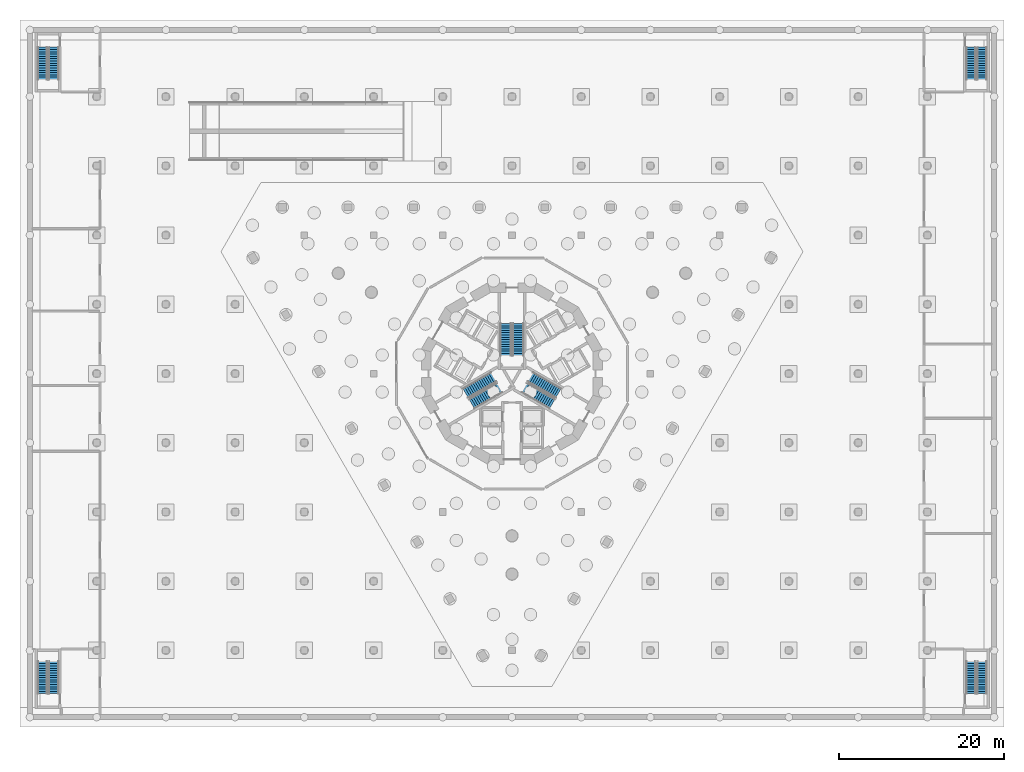
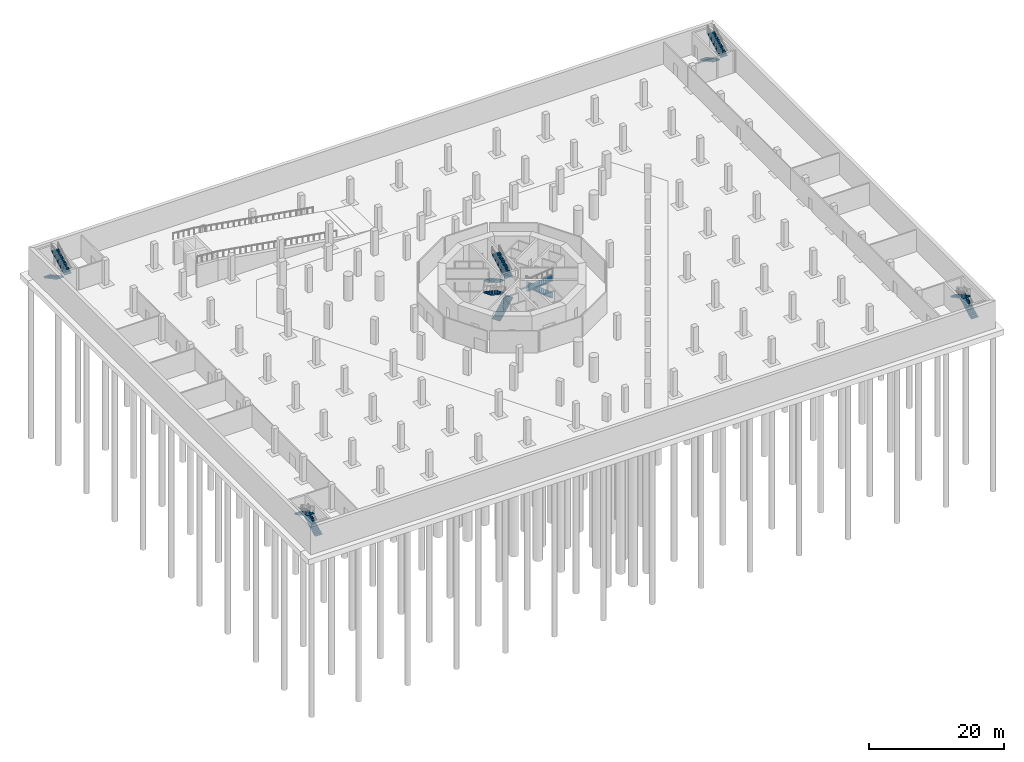
# One storey, part 15 of 23: 14 stair flights, 7 elements without a shape of their own.
"""IFC4 building model written with IfcOpenShell, lengths in metres."""

from ifc_helpers import new_model, si_unit, direction, frame, origin, place, context, subcontext, project, spatial, polyline, outline, extrude, material, type_object, element, aggregate, save


model = new_model("IFC4")

# Units and contexts
model_context = context("Model", 3, precision=1e-05, world=origin(), true_north=direction((0.0, 1.0)))
body_context = subcontext(model_context, "Body", "Model", "MODEL_VIEW")
ifc_project = project(units=[si_unit("LENGTHUNIT", "METRE"), si_unit("AREAUNIT", "SQUARE_METRE"), si_unit("VOLUMEUNIT", "CUBIC_METRE"), si_unit("PLANEANGLEUNIT", "RADIAN"), si_unit("MASSUNIT", "GRAM", prefix="KILO")], contexts=[model_context])

# Site, building, storey
site_placement = place(None, origin())
site = spatial("IfcSite", under=ifc_project, at=site_placement, CompositionType="ELEMENT")
building_placement = place(site_placement, origin())
building = spatial("IfcBuilding", under=site, at=building_placement, Name="Trine Commons Tower", CompositionType="ELEMENT")
storey_placement = place(building_placement, frame((0.0, 0.0, -9.0)))
storey = spatial("IfcBuildingStorey", under=building, at=storey_placement, Name="B2", CompositionType="ELEMENT", Elevation=-9.0)

# Stair, stair flights
ifc_material_1 = material(Name="Concrete C40/50", Category="concrete")
stair_type_1 = type_object("IfcStairType", Name="Exit stair, dog-leg 1200 mm, C40/50", PredefinedType="HALF_TURN_STAIR", material=ifc_material_1)
stair_1_placement = place(storey_placement, origin())
stair_1 = element("IfcStair", 1, at=stair_1_placement, inside=storey, type_object=stair_type_1, Name="B2 Exit stair STB1", PredefinedType="HALF_TURN_STAIR")
stair_flight_type_1 = type_object("IfcStairFlightType", Name="RC stair flight 1200 mm, C40/50", PredefinedType="STRAIGHT", material=ifc_material_1)
stair_flight_1_placement = place(storey_placement, frame((24.39990234375, 23.64990234375, 0.0), z_axis=(0.0, 0.0, 1.0), x_axis=(0.0, 1.0, 0.0)))
stair_flight_1 = element("IfcStairFlight", 2, at=stair_flight_1_placement, type_object=stair_flight_type_1, Name="STB1 flight 1", NumberOfRisers=15, NumberOfTreads=14, PredefinedType="STRAIGHT", RiserHeight=0.15, TreadLength=0.28, context=body_context, shape_type="SweptSolid", body=[
    extrude(outline(polyline([(0.0, 0.0), (0.0, 0.14990234375), (0.280029296875, 0.14990234375), (0.280029296875, 0.300048828125), (0.56005859375, 0.300048828125), (0.56005859375, 0.449951171875), (0.840087890625, 0.449951171875), (0.840087890625, 0.60009765625), (1.1201171875, 0.60009765625), (1.1201171875, 0.75), (1.39990234375, 0.75), (1.39990234375, 0.89990234375), (1.679931640625, 0.89990234375), (1.679931640625, 1.050048828125), (1.9599609375, 1.050048828125), (1.9599609375, 1.199951171875), (2.239990234375, 1.199951171875), (2.239990234375, 1.35009765625), (2.52001953125, 1.35009765625), (2.52001953125, 1.5), (2.800048828125, 1.5), (2.800048828125, 1.64990234375), (3.080078125, 1.64990234375), (3.080078125, 1.800048828125), (3.360107421875, 1.800048828125), (3.360107421875, 1.949951171875), (3.639892578125, 1.949951171875), (3.639892578125, 2.10009765625), (3.919921875, 2.10009765625), (3.919921875, 2.25), (3.919921875, 1.929931640625), (0.3173828125, 0.0), (0.0, 0.0)])), frame((0.0, 0.60009765625, 0.0), z_axis=(0.0, -1.0, 0.0), x_axis=(1.0, 0.0, 0.0)), (0.0, 0.0, 1.0), 1.199951171875),
])
stair_flight_2_placement = place(storey_placement, frame((23.050048828125, 27.570068359375, 2.25), z_axis=(0.0, 0.0, 1.0), x_axis=(0.0, -1.0, 0.0)))
stair_flight_2 = element("IfcStairFlight", 3, at=stair_flight_2_placement, type_object=stair_flight_type_1, Name="STB1 flight 2", NumberOfRisers=15, NumberOfTreads=14, PredefinedType="STRAIGHT", RiserHeight=0.15, TreadLength=0.28, context=body_context, shape_type="SweptSolid", body=[
    extrude(outline(polyline([(0.0, 0.0), (0.0, 0.14990234375), (0.280029296875, 0.14990234375), (0.280029296875, 0.300048828125), (0.56005859375, 0.300048828125), (0.56005859375, 0.449951171875), (0.840087890625, 0.449951171875), (0.840087890625, 0.60009765625), (1.1201171875, 0.60009765625), (1.1201171875, 0.75), (1.39990234375, 0.75), (1.39990234375, 0.89990234375), (1.679931640625, 0.89990234375), (1.679931640625, 1.050048828125), (1.9599609375, 1.050048828125), (1.9599609375, 1.199951171875), (2.239990234375, 1.199951171875), (2.239990234375, 1.35009765625), (2.52001953125, 1.35009765625), (2.52001953125, 1.5), (2.800048828125, 1.5), (2.800048828125, 1.64990234375), (3.080078125, 1.64990234375), (3.080078125, 1.800048828125), (3.360107421875, 1.800048828125), (3.360107421875, 1.949951171875), (3.639892578125, 1.949951171875), (3.639892578125, 2.10009765625), (3.919921875, 2.10009765625), (3.919921875, 2.25), (3.919921875, 1.929931640625), (0.3173828125, 0.0), (0.0, 0.0)])), frame((0.0, 0.60009765625, 0.0), z_axis=(0.0, -1.0, 0.0), x_axis=(1.0, 0.0, 0.0)), (0.0, 0.0, 1.0), 1.199951171875),
])
aggregate(stair_1, [stair_flight_1, stair_flight_2])

stair_2_placement = place(storey_placement, origin())
stair_2 = element("IfcStair", 4, at=stair_2_placement, inside=storey, type_object=stair_type_1, Name="B2 Exit stair STB2", PredefinedType="HALF_TURN_STAIR")
stair_flight_3_placement = place(storey_placement, frame((137.050048828125, 23.64990234375, 0.0), z_axis=(0.0, 0.0, 1.0), x_axis=(0.0, 1.0, 0.0)))
stair_flight_3 = element("IfcStairFlight", 5, at=stair_flight_3_placement, type_object=stair_flight_type_1, Name="STB2 flight 1", NumberOfRisers=15, NumberOfTreads=14, PredefinedType="STRAIGHT", RiserHeight=0.15, TreadLength=0.28, context=body_context, shape_type="SweptSolid", body=[
    extrude(outline(polyline([(0.0, 0.0), (0.0, 0.14990234375), (0.280029296875, 0.14990234375), (0.280029296875, 0.300048828125), (0.56005859375, 0.300048828125), (0.56005859375, 0.449951171875), (0.840087890625, 0.449951171875), (0.840087890625, 0.60009765625), (1.1201171875, 0.60009765625), (1.1201171875, 0.75), (1.39990234375, 0.75), (1.39990234375, 0.89990234375), (1.679931640625, 0.89990234375), (1.679931640625, 1.050048828125), (1.9599609375, 1.050048828125), (1.9599609375, 1.199951171875), (2.239990234375, 1.199951171875), (2.239990234375, 1.35009765625), (2.52001953125, 1.35009765625), (2.52001953125, 1.5), (2.800048828125, 1.5), (2.800048828125, 1.64990234375), (3.080078125, 1.64990234375), (3.080078125, 1.800048828125), (3.360107421875, 1.800048828125), (3.360107421875, 1.949951171875), (3.639892578125, 1.949951171875), (3.639892578125, 2.10009765625), (3.919921875, 2.10009765625), (3.919921875, 2.25), (3.919921875, 1.929931640625), (0.3173828125, 0.0), (0.0, 0.0)])), frame((0.0, 0.60009765625, 0.0), z_axis=(0.0, -1.0, 0.0), x_axis=(1.0, 0.0, 0.0)), (0.0, 0.0, 1.0), 1.199951171875),
])
stair_flight_4_placement = place(storey_placement, frame((135.699951171875, 27.570068359375, 2.25), z_axis=(0.0, 0.0, 1.0), x_axis=(0.0, -1.0, 0.0)))
stair_flight_4 = element("IfcStairFlight", 6, at=stair_flight_4_placement, type_object=stair_flight_type_1, Name="STB2 flight 2", NumberOfRisers=15, NumberOfTreads=14, PredefinedType="STRAIGHT", RiserHeight=0.15, TreadLength=0.28, context=body_context, shape_type="SweptSolid", body=[
    extrude(outline(polyline([(0.0, 0.0), (0.0, 0.14990234375), (0.280029296875, 0.14990234375), (0.280029296875, 0.300048828125), (0.56005859375, 0.300048828125), (0.56005859375, 0.449951171875), (0.840087890625, 0.449951171875), (0.840087890625, 0.60009765625), (1.1201171875, 0.60009765625), (1.1201171875, 0.75), (1.39990234375, 0.75), (1.39990234375, 0.89990234375), (1.679931640625, 0.89990234375), (1.679931640625, 1.050048828125), (1.9599609375, 1.050048828125), (1.9599609375, 1.199951171875), (2.239990234375, 1.199951171875), (2.239990234375, 1.35009765625), (2.52001953125, 1.35009765625), (2.52001953125, 1.5), (2.800048828125, 1.5), (2.800048828125, 1.64990234375), (3.080078125, 1.64990234375), (3.080078125, 1.800048828125), (3.360107421875, 1.800048828125), (3.360107421875, 1.949951171875), (3.639892578125, 1.949951171875), (3.639892578125, 2.10009765625), (3.919921875, 2.10009765625), (3.919921875, 2.25), (3.919921875, 1.929931640625), (0.3173828125, 0.0), (0.0, 0.0)])), frame((0.0, 0.60009765625, 0.0), z_axis=(0.0, -1.0, 0.0), x_axis=(1.0, 0.0, 0.0)), (0.0, 0.0, 1.0), 1.199951171875),
])
aggregate(stair_2, [stair_flight_3, stair_flight_4])

stair_3_placement = place(storey_placement, origin())
stair_3 = element("IfcStair", 7, at=stair_3_placement, inside=storey, type_object=stair_type_1, Name="B2 Exit stair STB3", PredefinedType="HALF_TURN_STAIR")
stair_flight_5_placement = place(storey_placement, frame((23.050048828125, 102.10009765625, 0.0), z_axis=(0.0, 0.0, 1.0), x_axis=(0.0, -1.0, 0.0)))
stair_flight_5 = element("IfcStairFlight", 8, at=stair_flight_5_placement, type_object=stair_flight_type_1, Name="STB3 flight 1", NumberOfRisers=15, NumberOfTreads=14, PredefinedType="STRAIGHT", RiserHeight=0.15, TreadLength=0.28, context=body_context, shape_type="SweptSolid", body=[
    extrude(outline(polyline([(0.0, 0.0), (0.0, 0.14990234375), (0.280029296875, 0.14990234375), (0.280029296875, 0.300048828125), (0.56005859375, 0.300048828125), (0.56005859375, 0.449951171875), (0.840087890625, 0.449951171875), (0.840087890625, 0.60009765625), (1.1201171875, 0.60009765625), (1.1201171875, 0.75), (1.39990234375, 0.75), (1.39990234375, 0.89990234375), (1.679931640625, 0.89990234375), (1.679931640625, 1.050048828125), (1.9599609375, 1.050048828125), (1.9599609375, 1.199951171875), (2.239990234375, 1.199951171875), (2.239990234375, 1.35009765625), (2.52001953125, 1.35009765625), (2.52001953125, 1.5), (2.800048828125, 1.5), (2.800048828125, 1.64990234375), (3.080078125, 1.64990234375), (3.080078125, 1.800048828125), (3.360107421875, 1.800048828125), (3.360107421875, 1.949951171875), (3.639892578125, 1.949951171875), (3.639892578125, 2.10009765625), (3.919921875, 2.10009765625), (3.919921875, 2.25), (3.919921875, 1.929931640625), (0.3173828125, 0.0), (0.0, 0.0)])), frame((0.0, 0.60009765625, 0.0), z_axis=(0.0, -1.0, 0.0), x_axis=(1.0, 0.0, 0.0)), (0.0, 0.0, 1.0), 1.199951171875),
])
stair_flight_6_placement = place(storey_placement, frame((24.39990234375, 98.179931640625, 2.25), z_axis=(0.0, 0.0, 1.0), x_axis=(0.0, 1.0, 0.0)))
stair_flight_6 = element("IfcStairFlight", 9, at=stair_flight_6_placement, type_object=stair_flight_type_1, Name="STB3 flight 2", NumberOfRisers=15, NumberOfTreads=14, PredefinedType="STRAIGHT", RiserHeight=0.15, TreadLength=0.28, context=body_context, shape_type="SweptSolid", body=[
    extrude(outline(polyline([(0.0, 0.0), (0.0, 0.14990234375), (0.280029296875, 0.14990234375), (0.280029296875, 0.300048828125), (0.56005859375, 0.300048828125), (0.56005859375, 0.449951171875), (0.840087890625, 0.449951171875), (0.840087890625, 0.60009765625), (1.1201171875, 0.60009765625), (1.1201171875, 0.75), (1.39990234375, 0.75), (1.39990234375, 0.89990234375), (1.679931640625, 0.89990234375), (1.679931640625, 1.050048828125), (1.9599609375, 1.050048828125), (1.9599609375, 1.199951171875), (2.239990234375, 1.199951171875), (2.239990234375, 1.35009765625), (2.52001953125, 1.35009765625), (2.52001953125, 1.5), (2.800048828125, 1.5), (2.800048828125, 1.64990234375), (3.080078125, 1.64990234375), (3.080078125, 1.800048828125), (3.360107421875, 1.800048828125), (3.360107421875, 1.949951171875), (3.639892578125, 1.949951171875), (3.639892578125, 2.10009765625), (3.919921875, 2.10009765625), (3.919921875, 2.25), (3.919921875, 1.929931640625), (0.3173828125, 0.0), (0.0, 0.0)])), frame((0.0, 0.60009765625, 0.0), z_axis=(0.0, -1.0, 0.0), x_axis=(1.0, 0.0, 0.0)), (0.0, 0.0, 1.0), 1.199951171875),
])
aggregate(stair_3, [stair_flight_5, stair_flight_6])

stair_4_placement = place(storey_placement, origin())
stair_4 = element("IfcStair", 10, at=stair_4_placement, inside=storey, type_object=stair_type_1, Name="B2 Exit stair STB4", PredefinedType="HALF_TURN_STAIR")
stair_flight_7_placement = place(storey_placement, frame((135.699951171875, 102.10009765625, 0.0), z_axis=(0.0, 0.0, 1.0), x_axis=(0.0, -1.0, 0.0)))
stair_flight_7 = element("IfcStairFlight", 11, at=stair_flight_7_placement, type_object=stair_flight_type_1, Name="STB4 flight 1", NumberOfRisers=15, NumberOfTreads=14, PredefinedType="STRAIGHT", RiserHeight=0.15, TreadLength=0.28, context=body_context, shape_type="SweptSolid", body=[
    extrude(outline(polyline([(0.0, 0.0), (0.0, 0.14990234375), (0.280029296875, 0.14990234375), (0.280029296875, 0.300048828125), (0.56005859375, 0.300048828125), (0.56005859375, 0.449951171875), (0.840087890625, 0.449951171875), (0.840087890625, 0.60009765625), (1.1201171875, 0.60009765625), (1.1201171875, 0.75), (1.39990234375, 0.75), (1.39990234375, 0.89990234375), (1.679931640625, 0.89990234375), (1.679931640625, 1.050048828125), (1.9599609375, 1.050048828125), (1.9599609375, 1.199951171875), (2.239990234375, 1.199951171875), (2.239990234375, 1.35009765625), (2.52001953125, 1.35009765625), (2.52001953125, 1.5), (2.800048828125, 1.5), (2.800048828125, 1.64990234375), (3.080078125, 1.64990234375), (3.080078125, 1.800048828125), (3.360107421875, 1.800048828125), (3.360107421875, 1.949951171875), (3.639892578125, 1.949951171875), (3.639892578125, 2.10009765625), (3.919921875, 2.10009765625), (3.919921875, 2.25), (3.919921875, 1.929931640625), (0.3173828125, 0.0), (0.0, 0.0)])), frame((0.0, 0.60009765625, 0.0), z_axis=(0.0, -1.0, 0.0), x_axis=(1.0, 0.0, 0.0)), (0.0, 0.0, 1.0), 1.199951171875),
])
stair_flight_8_placement = place(storey_placement, frame((137.050048828125, 98.179931640625, 2.25), z_axis=(0.0, 0.0, 1.0), x_axis=(0.0, 1.0, 0.0)))
stair_flight_8 = element("IfcStairFlight", 12, at=stair_flight_8_placement, type_object=stair_flight_type_1, Name="STB4 flight 2", NumberOfRisers=15, NumberOfTreads=14, PredefinedType="STRAIGHT", RiserHeight=0.15, TreadLength=0.28, context=body_context, shape_type="SweptSolid", body=[
    extrude(outline(polyline([(0.0, 0.0), (0.0, 0.14990234375), (0.280029296875, 0.14990234375), (0.280029296875, 0.300048828125), (0.56005859375, 0.300048828125), (0.56005859375, 0.449951171875), (0.840087890625, 0.449951171875), (0.840087890625, 0.60009765625), (1.1201171875, 0.60009765625), (1.1201171875, 0.75), (1.39990234375, 0.75), (1.39990234375, 0.89990234375), (1.679931640625, 0.89990234375), (1.679931640625, 1.050048828125), (1.9599609375, 1.050048828125), (1.9599609375, 1.199951171875), (2.239990234375, 1.199951171875), (2.239990234375, 1.35009765625), (2.52001953125, 1.35009765625), (2.52001953125, 1.5), (2.800048828125, 1.5), (2.800048828125, 1.64990234375), (3.080078125, 1.64990234375), (3.080078125, 1.800048828125), (3.360107421875, 1.800048828125), (3.360107421875, 1.949951171875), (3.639892578125, 1.949951171875), (3.639892578125, 2.10009765625), (3.919921875, 2.10009765625), (3.919921875, 2.25), (3.919921875, 1.929931640625), (0.3173828125, 0.0), (0.0, 0.0)])), frame((0.0, 0.60009765625, 0.0), z_axis=(0.0, -1.0, 0.0), x_axis=(1.0, 0.0, 0.0)), (0.0, 0.0, 1.0), 1.199951171875),
])
aggregate(stair_4, [stair_flight_7, stair_flight_8])

ifc_material_2 = material(Name="Concrete C50/60", Category="concrete")
stair_type_2 = type_object("IfcStairType", Name="Exit stair, dog-leg, 30 risers of 150 mm", PredefinedType="HALF_TURN_STAIR", material=ifc_material_2)
stair_5_placement = place(storey_placement, origin())
stair_5 = element("IfcStair", 13, at=stair_5_placement, inside=storey, type_object=stair_type_2, Name="B2 Exit stair ST1A", PredefinedType="HALF_TURN_STAIR")
stair_flight_type_2 = type_object("IfcStairFlightType", Name="Stair flight, 1350 wide, 15 risers of 150 mm", PredefinedType="STRAIGHT", material=ifc_material_2)
stair_flight_9_placement = place(storey_placement, frame((79.25, 68.570556640625, 0.0), z_axis=(0.0, 0.0, 1.0), x_axis=(0.0, -1.0, 0.0)))
stair_flight_9 = element("IfcStairFlight", 14, at=stair_flight_9_placement, type_object=stair_flight_type_2, Name="ST1A flight 1", NumberOfRisers=15, NumberOfTreads=14, PredefinedType="STRAIGHT", RiserHeight=0.15, TreadLength=0.28, context=body_context, shape_type="SweptSolid", body=[
    extrude(outline(polyline([(0.0, 0.0), (0.0, 0.14990234375), (0.280029296875, 0.14990234375), (0.280029296875, 0.300048828125), (0.56005859375, 0.300048828125), (0.56005859375, 0.449951171875), (0.840087890625, 0.449951171875), (0.840087890625, 0.60009765625), (1.1201171875, 0.60009765625), (1.1201171875, 0.75), (1.39990234375, 0.75), (1.39990234375, 0.89990234375), (1.679931640625, 0.89990234375), (1.679931640625, 1.050048828125), (1.9599609375, 1.050048828125), (1.9599609375, 1.199951171875), (2.239990234375, 1.199951171875), (2.239990234375, 1.35009765625), (2.52001953125, 1.35009765625), (2.52001953125, 1.5), (2.800048828125, 1.5), (2.800048828125, 1.64990234375), (3.080078125, 1.64990234375), (3.080078125, 1.800048828125), (3.360107421875, 1.800048828125), (3.360107421875, 1.949951171875), (3.639892578125, 1.949951171875), (3.639892578125, 2.10009765625), (3.919921875, 2.10009765625), (3.919921875, 2.25), (3.919921875, 1.929931640625), (0.3173828125, 0.0), (0.0, 0.0)])), frame((0.0, 0.675048828125, 0.0), z_axis=(0.0, -1.0, 0.0), x_axis=(1.0, 0.0, 0.0)), (0.0, 0.0, 1.0), 1.35009765625),
])
stair_flight_10_placement = place(storey_placement, frame((80.75, 64.650634765625, 2.25), z_axis=(0.0, 0.0, 1.0), x_axis=(0.0, 1.0, 0.0)))
stair_flight_10 = element("IfcStairFlight", 15, at=stair_flight_10_placement, type_object=stair_flight_type_2, Name="ST1A flight 2", NumberOfRisers=15, NumberOfTreads=14, PredefinedType="STRAIGHT", RiserHeight=0.15, TreadLength=0.28, context=body_context, shape_type="SweptSolid", body=[
    extrude(outline(polyline([(0.0, 0.0), (0.0, 0.14990234375), (0.280029296875, 0.14990234375), (0.280029296875, 0.300048828125), (0.56005859375, 0.300048828125), (0.56005859375, 0.449951171875), (0.840087890625, 0.449951171875), (0.840087890625, 0.60009765625), (1.1201171875, 0.60009765625), (1.1201171875, 0.75), (1.39990234375, 0.75), (1.39990234375, 0.89990234375), (1.679931640625, 0.89990234375), (1.679931640625, 1.050048828125), (1.9599609375, 1.050048828125), (1.9599609375, 1.199951171875), (2.239990234375, 1.199951171875), (2.239990234375, 1.35009765625), (2.52001953125, 1.35009765625), (2.52001953125, 1.5), (2.800048828125, 1.5), (2.800048828125, 1.64990234375), (3.080078125, 1.64990234375), (3.080078125, 1.800048828125), (3.360107421875, 1.800048828125), (3.360107421875, 1.949951171875), (3.639892578125, 1.949951171875), (3.639892578125, 2.10009765625), (3.919921875, 2.10009765625), (3.919921875, 2.25), (3.919921875, 1.929931640625), (0.3173828125, 0.0), (0.0, 0.0)])), frame((0.0, 0.675048828125, 0.0), z_axis=(0.0, -1.0, 0.0), x_axis=(1.0, 0.0, 0.0)), (0.0, 0.0, 1.0), 1.35009765625),
])
aggregate(stair_5, [stair_flight_9, stair_flight_10])

stair_6_placement = place(storey_placement, origin())
stair_6 = element("IfcStair", 16, at=stair_6_placement, inside=storey, type_object=stair_type_2, Name="B2 Exit stair ST2A", PredefinedType="HALF_TURN_STAIR")
stair_flight_11_placement = place(storey_placement, frame((75.11767578125, 58.815185546875, 0.0), z_axis=(0.0, 0.0, 1.0), x_axis=(0.866025403784, 0.5, 0.0)))
stair_flight_11 = element("IfcStairFlight", 17, at=stair_flight_11_placement, type_object=stair_flight_type_2, Name="ST2A flight 1", NumberOfRisers=15, NumberOfTreads=14, PredefinedType="STRAIGHT", RiserHeight=0.15, TreadLength=0.28, context=body_context, shape_type="SweptSolid", body=[
    extrude(outline(polyline([(0.0, 0.0), (0.0, 0.14990234375), (0.280029296875, 0.14990234375), (0.280029296875, 0.300048828125), (0.56005859375, 0.300048828125), (0.56005859375, 0.449951171875), (0.840087890625, 0.449951171875), (0.840087890625, 0.60009765625), (1.1201171875, 0.60009765625), (1.1201171875, 0.75), (1.39990234375, 0.75), (1.39990234375, 0.89990234375), (1.679931640625, 0.89990234375), (1.679931640625, 1.050048828125), (1.9599609375, 1.050048828125), (1.9599609375, 1.199951171875), (2.239990234375, 1.199951171875), (2.239990234375, 1.35009765625), (2.52001953125, 1.35009765625), (2.52001953125, 1.5), (2.800048828125, 1.5), (2.800048828125, 1.64990234375), (3.080078125, 1.64990234375), (3.080078125, 1.800048828125), (3.360107421875, 1.800048828125), (3.360107421875, 1.949951171875), (3.639892578125, 1.949951171875), (3.639892578125, 2.10009765625), (3.919921875, 2.10009765625), (3.919921875, 2.25), (3.919921875, 1.929931640625), (0.3173828125, 0.0), (0.0, 0.0)])), frame((0.0, 0.675048828125, 0.0), z_axis=(0.0, -1.0, 0.0), x_axis=(1.0, 0.0, 0.0)), (0.0, 0.0, 1.0), 1.35009765625),
])
stair_flight_12_placement = place(storey_placement, frame((77.762451171875, 62.07421875, 2.25), z_axis=(0.0, 0.0, 1.0), x_axis=(-0.866025403784, -0.5, 0.0)))
stair_flight_12 = element("IfcStairFlight", 18, at=stair_flight_12_placement, type_object=stair_flight_type_2, Name="ST2A flight 2", NumberOfRisers=15, NumberOfTreads=14, PredefinedType="STRAIGHT", RiserHeight=0.15, TreadLength=0.28, context=body_context, shape_type="SweptSolid", body=[
    extrude(outline(polyline([(0.0, 0.0), (0.0, 0.14990234375), (0.280029296875, 0.14990234375), (0.280029296875, 0.300048828125), (0.56005859375, 0.300048828125), (0.56005859375, 0.449951171875), (0.840087890625, 0.449951171875), (0.840087890625, 0.60009765625), (1.1201171875, 0.60009765625), (1.1201171875, 0.75), (1.39990234375, 0.75), (1.39990234375, 0.89990234375), (1.679931640625, 0.89990234375), (1.679931640625, 1.050048828125), (1.9599609375, 1.050048828125), (1.9599609375, 1.199951171875), (2.239990234375, 1.199951171875), (2.239990234375, 1.35009765625), (2.52001953125, 1.35009765625), (2.52001953125, 1.5), (2.800048828125, 1.5), (2.800048828125, 1.64990234375), (3.080078125, 1.64990234375), (3.080078125, 1.800048828125), (3.360107421875, 1.800048828125), (3.360107421875, 1.949951171875), (3.639892578125, 1.949951171875), (3.639892578125, 2.10009765625), (3.919921875, 2.10009765625), (3.919921875, 2.25), (3.919921875, 1.929931640625), (0.3173828125, 0.0), (0.0, 0.0)])), frame((0.0, 0.675048828125, 0.0), z_axis=(0.0, -1.0, 0.0), x_axis=(1.0, 0.0, 0.0)), (0.0, 0.0, 1.0), 1.35009765625),
])
aggregate(stair_6, [stair_flight_11, stair_flight_12])

stair_7_placement = place(storey_placement, origin())
stair_7 = element("IfcStair", 19, at=stair_7_placement, inside=storey, type_object=stair_type_2, Name="B2 Exit stair ST3A", PredefinedType="HALF_TURN_STAIR")
stair_flight_13_placement = place(storey_placement, frame((85.63232421875, 60.1142578125, 0.0), z_axis=(0.0, 0.0, 1.0), x_axis=(-0.866025403784, 0.5, 0.0)))
stair_flight_13 = element("IfcStairFlight", 20, at=stair_flight_13_placement, type_object=stair_flight_type_2, Name="ST3A flight 1", NumberOfRisers=15, NumberOfTreads=14, PredefinedType="STRAIGHT", RiserHeight=0.15, TreadLength=0.28, context=body_context, shape_type="SweptSolid", body=[
    extrude(outline(polyline([(0.0, 0.0), (0.0, 0.14990234375), (0.280029296875, 0.14990234375), (0.280029296875, 0.300048828125), (0.56005859375, 0.300048828125), (0.56005859375, 0.449951171875), (0.840087890625, 0.449951171875), (0.840087890625, 0.60009765625), (1.1201171875, 0.60009765625), (1.1201171875, 0.75), (1.39990234375, 0.75), (1.39990234375, 0.89990234375), (1.679931640625, 0.89990234375), (1.679931640625, 1.050048828125), (1.9599609375, 1.050048828125), (1.9599609375, 1.199951171875), (2.239990234375, 1.199951171875), (2.239990234375, 1.35009765625), (2.52001953125, 1.35009765625), (2.52001953125, 1.5), (2.800048828125, 1.5), (2.800048828125, 1.64990234375), (3.080078125, 1.64990234375), (3.080078125, 1.800048828125), (3.360107421875, 1.800048828125), (3.360107421875, 1.949951171875), (3.639892578125, 1.949951171875), (3.639892578125, 2.10009765625), (3.919921875, 2.10009765625), (3.919921875, 2.25), (3.919921875, 1.929931640625), (0.3173828125, 0.0), (0.0, 0.0)])), frame((0.0, 0.675048828125, 0.0), z_axis=(0.0, -1.0, 0.0), x_axis=(1.0, 0.0, 0.0)), (0.0, 0.0, 1.0), 1.35009765625),
])
stair_flight_14_placement = place(storey_placement, frame((81.487548828125, 60.775146484375, 2.25), z_axis=(0.0, 0.0, 1.0), x_axis=(0.866025403784, -0.5, 0.0)))
stair_flight_14 = element("IfcStairFlight", 21, at=stair_flight_14_placement, type_object=stair_flight_type_2, Name="ST3A flight 2", NumberOfRisers=15, NumberOfTreads=14, PredefinedType="STRAIGHT", RiserHeight=0.15, TreadLength=0.28, context=body_context, shape_type="SweptSolid", body=[
    extrude(outline(polyline([(0.0, 0.0), (0.0, 0.14990234375), (0.280029296875, 0.14990234375), (0.280029296875, 0.300048828125), (0.56005859375, 0.300048828125), (0.56005859375, 0.449951171875), (0.840087890625, 0.449951171875), (0.840087890625, 0.60009765625), (1.1201171875, 0.60009765625), (1.1201171875, 0.75), (1.39990234375, 0.75), (1.39990234375, 0.89990234375), (1.679931640625, 0.89990234375), (1.679931640625, 1.050048828125), (1.9599609375, 1.050048828125), (1.9599609375, 1.199951171875), (2.239990234375, 1.199951171875), (2.239990234375, 1.35009765625), (2.52001953125, 1.35009765625), (2.52001953125, 1.5), (2.800048828125, 1.5), (2.800048828125, 1.64990234375), (3.080078125, 1.64990234375), (3.080078125, 1.800048828125), (3.360107421875, 1.800048828125), (3.360107421875, 1.949951171875), (3.639892578125, 1.949951171875), (3.639892578125, 2.10009765625), (3.919921875, 2.10009765625), (3.919921875, 2.25), (3.919921875, 1.929931640625), (0.3173828125, 0.0), (0.0, 0.0)])), frame((0.0, 0.675048828125, 0.0), z_axis=(0.0, -1.0, 0.0), x_axis=(1.0, 0.0, 0.0)), (0.0, 0.0, 1.0), 1.35009765625),
])
aggregate(stair_7, [stair_flight_13, stair_flight_14])

save(model, "model.ifc")
